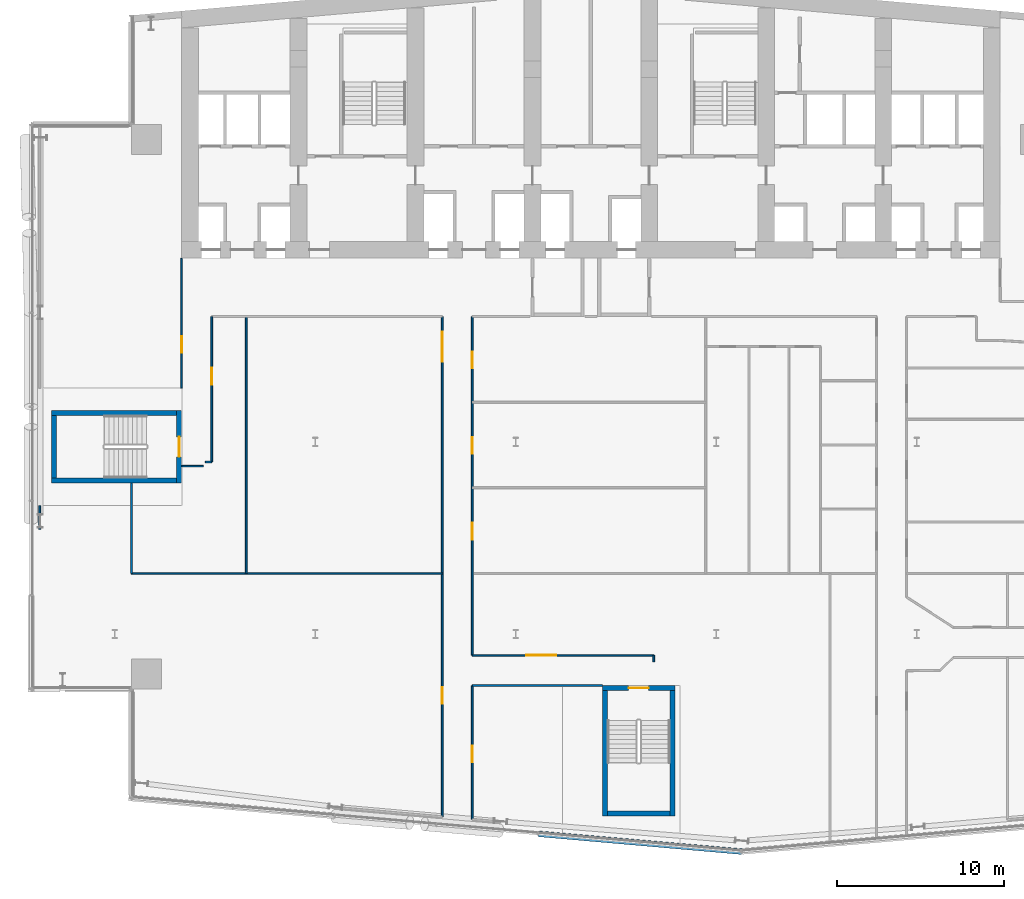
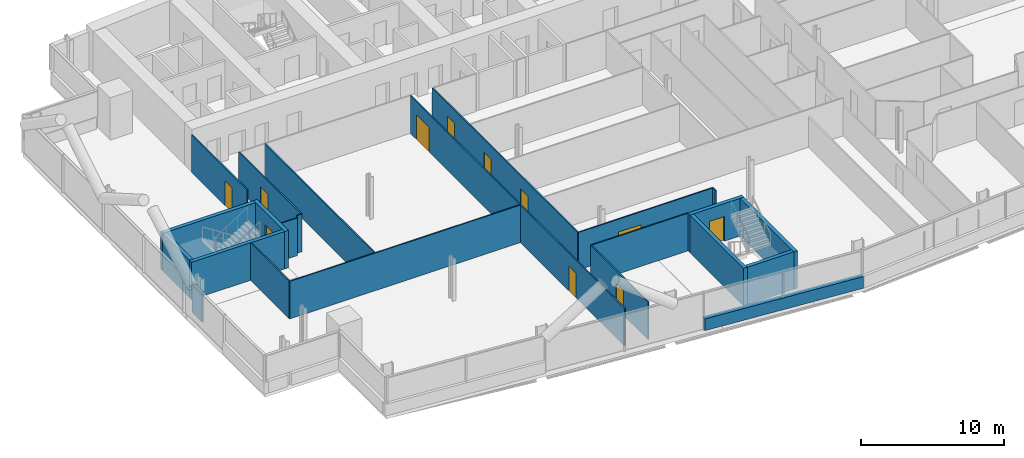
# One storey, part 14 of 26: 23 walls, 11 doors, 11 openings.
"""IFC4 building model written with IfcOpenShell, lengths in metres."""

from ifc_helpers import new_model, si_unit, direction, frame, frame_2d, origin, place, context, subcontext, project, spatial, rectangle, extrude, material, layer, layer_set, type_object, element, fill, save


model = new_model("IFC4")

# Units and contexts
model_context = context("Model", 3, precision=1e-05, world=origin(), true_north=direction((0.0, 1.0)))
body_context = subcontext(model_context, "Body", "Model", "MODEL_VIEW")
ifc_project = project(units=[si_unit("LENGTHUNIT", "METRE"), si_unit("AREAUNIT", "SQUARE_METRE"), si_unit("VOLUMEUNIT", "CUBIC_METRE"), si_unit("PLANEANGLEUNIT", "RADIAN"), si_unit("MASSUNIT", "GRAM", prefix="KILO")], contexts=[model_context])

# Site, building, storey
site_placement = place(None, origin())
site = spatial("IfcSite", under=ifc_project, at=site_placement, CompositionType="ELEMENT")
building_placement = place(site_placement, origin())
building = spatial("IfcBuilding", under=site, at=building_placement, Name="Wharfspan Tower", CompositionType="ELEMENT")
storey_placement = place(building_placement, frame((0.0, 0.0, 114.699951)))
storey = spatial("IfcBuildingStorey", under=building, at=storey_placement, Name="L26", CompositionType="ELEMENT", Elevation=114.699951)

# Wall
ifc_material_1 = material(Name="Gypsum board on steel studs", Category="steel")
ifc_layer_1 = layer(ifc_material_1, 0.100098)
ifc_layer_set_1 = layer_set([ifc_layer_1], Name="Gypsum board on steel studs")
wall_type_1 = type_object("IfcWallType", Name="Compartment wall 100 EI 60", PredefinedType="PARTITIONING", material=ifc_layer_set_1)
wall_1_placement = place(storey_placement, frame((13.0, 15.129883, 0.0), z_axis=(0.0, 0.0, 1.0), x_axis=(1.0, 0.0, 0.0)))
element("IfcWall", 1, at=wall_1_placement, inside=storey, type_object=wall_type_1, Name="Partition L26.w004", PredefinedType="PARTITIONING", context=body_context, shape_type="SweptSolid", body=[
    extrude(rectangle(XDim=18.600098, YDim=0.100098, at=frame_2d((9.300049, 0.0))), origin(), (0.0, 0.0, 1.0), 3.199951),
])

# Wall, opening, door
wall_2_placement = place(storey_placement, frame((16.0, 26.219971, 0.0), z_axis=(0.0, 0.0, 1.0), x_axis=(0.0, 1.0, 0.0)))
wall_2 = element("IfcWall", 2, at=wall_2_placement, inside=storey, type_object=wall_type_1, Name="Partition L26.w005", PredefinedType="PARTITIONING", context=body_context, shape_type="SweptSolid", body=[
    extrude(rectangle(XDim=7.76001, YDim=0.100098, at=frame_2d((3.879883, 0.0))), origin(), (0.0, 0.0, 1.0), 3.199951),
])
opening_1_placement = place(wall_2_placement, frame((2.100098, 0.0, 0.0)))
opening_1 = element("IfcOpeningElement", 3, at=opening_1_placement, cuts=wall_2, Name="Opening B3-23", PredefinedType="OPENING", context=body_context, shape_type="SweptSolid", body=[
    extrude(rectangle(XDim=1.0, YDim=2.100098, at=frame_2d((0.5, 1.050049))), frame((0.0, 0.060059, 0.0), z_axis=(0.0, -1.0, 0.0), x_axis=(1.0, 0.0, 0.0)), (0.0, 0.0, 1.0), 0.120117),
])
ifc_material_2 = material(Name="Fire-rated timber door leaf in steel frame", Category="steel")
door_type_1 = type_object("IfcDoorType", Name="Door 1000 FD30S Left", OperationType="SINGLE_SWING_LEFT", PredefinedType="DOOR", material=ifc_material_2)
door_1_placement = place(opening_1_placement, origin())
door_1 = element("IfcDoor", 4, at=door_1_placement, inside=storey, type_object=door_type_1, Name="Door B3-23", OperationType="SINGLE_SWING_LEFT", OverallHeight=2.100098, OverallWidth=1.0, PredefinedType="DOOR", context=body_context, shape_type="SweptSolid", body=[
    extrude(rectangle(XDim=1.0, YDim=2.100098, at=frame_2d((0.5, 1.050049))), frame((0.0, 0.024902, 0.0), z_axis=(0.0, -1.0, 0.0), x_axis=(1.0, 0.0, 0.0)), (0.0, 0.0, 1.0), 0.050049),
])
fill(opening_1, door_1)

# Walls
wall_3_placement = place(storey_placement, frame((16.02002, 21.550049, 0.0), z_axis=(0.0, 0.0, 1.0), x_axis=(1.0, 0.0, 0.0)))
element("IfcWall", 5, at=wall_3_placement, inside=storey, type_object=wall_type_1, Name="Partition L26.w006", PredefinedType="PARTITIONING", context=body_context, shape_type="SweptSolid", body=[
    extrude(rectangle(XDim=1.280029, YDim=0.100098, at=frame_2d((0.640137, 0.0))), origin(), (0.0, 0.0, 1.0), 3.199951),
])
wall_4_placement = place(storey_placement, frame((17.419922, 21.800049, 0.0), z_axis=(0.0, 0.0, 1.0), x_axis=(1.0, 0.0, 0.0)))
element("IfcWall", 6, at=wall_4_placement, inside=storey, type_object=wall_type_1, Name="Partition L26.w007", PredefinedType="PARTITIONING", context=body_context, shape_type="SweptSolid", body=[
    extrude(rectangle(XDim=0.380127, YDim=0.100098, at=frame_2d((0.189941, 0.0))), origin(), (0.0, 0.0, 1.0), 3.199951),
])

# Wall, opening, door
wall_5_placement = place(storey_placement, frame((17.800049, 21.800049, 0.0), z_axis=(0.0, 0.0, 1.0), x_axis=(0.0, 1.0, 0.0)))
wall_5 = element("IfcWall", 7, at=wall_5_placement, inside=storey, type_object=wall_type_1, Name="Partition L26.w008", PredefinedType="PARTITIONING", context=body_context, shape_type="SweptSolid", body=[
    extrude(rectangle(XDim=8.699951, YDim=0.100098, at=frame_2d((4.350098, 0.0))), origin(), (0.0, 0.0, 1.0), 3.199951),
])
opening_2_placement = place(wall_5_placement, frame((4.631348, 0.0, 0.0)))
opening_2 = element("IfcOpeningElement", 8, at=opening_2_placement, cuts=wall_5, Name="Opening B3-17", PredefinedType="OPENING", context=body_context, shape_type="SweptSolid", body=[
    extrude(rectangle(XDim=1.0, YDim=2.100098, at=frame_2d((0.5, 1.050049))), frame((0.0, 0.060059, 0.0), z_axis=(0.0, -1.0, 0.0), x_axis=(1.0, 0.0, 0.0)), (0.0, 0.0, 1.0), 0.120117),
])
door_type_2 = type_object("IfcDoorType", Name="Door 1000 FD30S Right", OperationType="SINGLE_SWING_RIGHT", PredefinedType="DOOR", material=ifc_material_2)
door_2_placement = place(opening_2_placement, origin())
door_2 = element("IfcDoor", 9, at=door_2_placement, inside=storey, type_object=door_type_2, Name="Door B3-17", OperationType="SINGLE_SWING_RIGHT", OverallHeight=2.100098, OverallWidth=1.0, PredefinedType="DOOR", context=body_context, shape_type="SweptSolid", body=[
    extrude(rectangle(XDim=1.0, YDim=2.100098, at=frame_2d((0.5, 1.050049))), frame((0.0, 0.024902, 0.0), z_axis=(0.0, -1.0, 0.0), x_axis=(1.0, 0.0, 0.0)), (0.0, 0.0, 1.0), 0.050049),
])
fill(opening_2, door_2)

# Wall
wall_6_placement = place(storey_placement, frame((19.875, 15.129883, 0.0), z_axis=(0.0, 0.0, 1.0), x_axis=(0.0, 1.0, 0.0)))
element("IfcWall", 10, at=wall_6_placement, inside=storey, type_object=wall_type_1, Name="Partition L26.w010", PredefinedType="PARTITIONING", context=body_context, shape_type="SweptSolid", body=[
    extrude(rectangle(XDim=15.370117, YDim=0.100098, at=frame_2d((7.685059, 0.0))), origin(), (0.0, 0.0, 1.0), 3.199951),
])

# Wall, openings, doors
wall_7_placement = place(storey_placement, frame((31.600098, 0.560059, 0.0), z_axis=(0.0, 0.0, 1.0), x_axis=(0.0, 1.0, 0.0)))
wall_7 = element("IfcWall", 11, at=wall_7_placement, inside=storey, type_object=wall_type_1, Name="Partition L26.w011", PredefinedType="PARTITIONING", context=body_context, shape_type="SweptSolid", body=[
    extrude(rectangle(XDim=29.939941, YDim=0.100098, at=frame_2d((14.969971, 0.0))), origin(), (0.0, 0.0, 1.0), 3.199951),
])
opening_3_placement = place(wall_7_placement, frame((6.75, 0.0, 0.0)))
opening_3 = element("IfcOpeningElement", 12, at=opening_3_placement, cuts=wall_7, Name="Opening B3-04", PredefinedType="OPENING", context=body_context, shape_type="SweptSolid", body=[
    extrude(rectangle(XDim=1.0, YDim=2.100098, at=frame_2d((0.5, 1.050049))), frame((0.0, 0.060059, 0.0), z_axis=(0.0, -1.0, 0.0), x_axis=(1.0, 0.0, 0.0)), (0.0, 0.0, 1.0), 0.120117),
])
opening_4_placement = place(wall_7_placement, frame((27.245117, 0.0, 0.0)))
opening_4 = element("IfcOpeningElement", 13, at=opening_4_placement, cuts=wall_7, Name="Opening B3-22", PredefinedType="OPENING", context=body_context, shape_type="SweptSolid", body=[
    extrude(rectangle(XDim=1.800049, YDim=2.100098, at=frame_2d((0.899902, 1.050049))), frame((0.0, 0.060059, 0.0), z_axis=(0.0, -1.0, 0.0), x_axis=(1.0, 0.0, 0.0)), (0.0, 0.0, 1.0), 0.120117),
])
door_3_placement = place(opening_3_placement, origin())
door_3 = element("IfcDoor", 14, at=door_3_placement, inside=storey, type_object=door_type_1, Name="Door B3-04", OperationType="SINGLE_SWING_LEFT", OverallHeight=2.100098, OverallWidth=1.0, PredefinedType="DOOR", context=body_context, shape_type="SweptSolid", body=[
    extrude(rectangle(XDim=1.0, YDim=2.100098, at=frame_2d((0.5, 1.050049))), frame((0.0, 0.024902, 0.0), z_axis=(0.0, -1.0, 0.0), x_axis=(1.0, 0.0, 0.0)), (0.0, 0.0, 1.0), 0.050049),
])
fill(opening_3, door_3)
door_type_3 = type_object("IfcDoorType", Name="Door 1800 FD30S Double", OperationType="DOUBLE_DOOR_SINGLE_SWING", PredefinedType="DOOR", material=ifc_material_2)
door_4_placement = place(opening_4_placement, origin())
door_4 = element("IfcDoor", 15, at=door_4_placement, inside=storey, type_object=door_type_3, Name="Door B3-22", OperationType="DOUBLE_DOOR_SINGLE_SWING", OverallHeight=2.100098, OverallWidth=1.800049, PredefinedType="DOOR", context=body_context, shape_type="SweptSolid", body=[
    extrude(rectangle(XDim=1.800049, YDim=2.100098, at=frame_2d((0.899902, 1.050049))), frame((0.0, 0.024902, 0.0), z_axis=(0.0, -1.0, 0.0), x_axis=(1.0, 0.0, 0.0)), (0.0, 0.0, 1.0), 0.050049),
])
fill(opening_4, door_4)

# Wall, opening, door
wall_8_placement = place(storey_placement, frame((33.399902, 0.399902, 0.0), z_axis=(0.0, 0.0, 1.0), x_axis=(0.0, 1.0, 0.0)))
wall_8 = element("IfcWall", 16, at=wall_8_placement, inside=storey, type_object=wall_type_1, Name="Partition L26.w013", PredefinedType="PARTITIONING", context=body_context, shape_type="SweptSolid", body=[
    extrude(rectangle(XDim=8.015137, YDim=0.100098, at=frame_2d((4.007568, 0.0))), origin(), (0.0, 0.0, 1.0), 3.199951),
])
opening_5_placement = place(wall_8_placement, frame((3.419922, 0.0, 0.0)))
opening_5 = element("IfcOpeningElement", 17, at=opening_5_placement, cuts=wall_8, Name="Opening B3-01", PredefinedType="OPENING", context=body_context, shape_type="SweptSolid", body=[
    extrude(rectangle(XDim=1.0, YDim=2.100098, at=frame_2d((0.5, 1.050049))), frame((0.0, 0.060059, 0.0), z_axis=(0.0, -1.0, 0.0), x_axis=(1.0, 0.0, 0.0)), (0.0, 0.0, 1.0), 0.120117),
])
door_5_placement = place(opening_5_placement, origin())
door_5 = element("IfcDoor", 18, at=door_5_placement, inside=storey, type_object=door_type_1, Name="Door B3-01", OperationType="SINGLE_SWING_LEFT", OverallHeight=2.100098, OverallWidth=1.0, PredefinedType="DOOR", context=body_context, shape_type="SweptSolid", body=[
    extrude(rectangle(XDim=1.0, YDim=2.100098, at=frame_2d((0.5, 1.050049))), frame((0.0, 0.024902, 0.0), z_axis=(0.0, -1.0, 0.0), x_axis=(1.0, 0.0, 0.0)), (0.0, 0.0, 1.0), 0.050049),
])
fill(opening_5, door_5)

# Wall
wall_9_placement = place(storey_placement, frame((33.399902, 8.415039, 0.0), z_axis=(0.0, 0.0, 1.0), x_axis=(1.0, 0.0, 0.0)))
element("IfcWall", 19, at=wall_9_placement, inside=storey, type_object=wall_type_1, Name="Partition L26.w014", PredefinedType="PARTITIONING", context=body_context, shape_type="SweptSolid", body=[
    extrude(rectangle(XDim=7.7854, YDim=0.100098, at=frame_2d((3.892578, 0.0))), origin(), (0.0, 0.0, 1.0), 3.199951),
])

# Wall, openings, doors
wall_10_placement = place(storey_placement, frame((33.399902, 10.219971, 0.0), z_axis=(0.0, 0.0, 1.0), x_axis=(0.0, 1.0, 0.0)))
wall_10 = element("IfcWall", 20, at=wall_10_placement, inside=storey, type_object=wall_type_1, Name="Partition L26.w015", PredefinedType="PARTITIONING", context=body_context, shape_type="SweptSolid", body=[
    extrude(rectangle(XDim=20.280029, YDim=0.100098, at=frame_2d((10.140137, 0.0))), origin(), (0.0, 0.0, 1.0), 3.199951),
])
opening_6_placement = place(wall_10_placement, frame((6.929932, 0.0, 0.0)))
opening_6 = element("IfcOpeningElement", 21, at=opening_6_placement, cuts=wall_10, Name="Opening B3-10", PredefinedType="OPENING", context=body_context, shape_type="SweptSolid", body=[
    extrude(rectangle(XDim=1.0, YDim=2.100098, at=frame_2d((0.5, 1.050049))), frame((0.0, 0.060059, 0.0), z_axis=(0.0, -1.0, 0.0), x_axis=(1.0, 0.0, 0.0)), (0.0, 0.0, 1.0), 0.120117),
])
opening_7_placement = place(wall_10_placement, frame((12.054932, 0.0, 0.0)))
opening_7 = element("IfcOpeningElement", 22, at=opening_7_placement, cuts=wall_10, Name="Opening B3-13", PredefinedType="OPENING", context=body_context, shape_type="SweptSolid", body=[
    extrude(rectangle(XDim=1.0, YDim=2.100098, at=frame_2d((0.5, 1.050049))), frame((0.0, 0.060059, 0.0), z_axis=(0.0, -1.0, 0.0), x_axis=(1.0, 0.0, 0.0)), (0.0, 0.0, 1.0), 0.120117),
])
opening_8_placement = place(wall_10_placement, frame((17.179932, 0.0, 0.0)))
opening_8 = element("IfcOpeningElement", 23, at=opening_8_placement, cuts=wall_10, Name="Opening B3-18", PredefinedType="OPENING", context=body_context, shape_type="SweptSolid", body=[
    extrude(rectangle(XDim=1.0, YDim=2.100098, at=frame_2d((0.5, 1.050049))), frame((0.0, 0.060059, 0.0), z_axis=(0.0, -1.0, 0.0), x_axis=(1.0, 0.0, 0.0)), (0.0, 0.0, 1.0), 0.120117),
])
door_6_placement = place(opening_6_placement, origin())
door_6 = element("IfcDoor", 24, at=door_6_placement, inside=storey, type_object=door_type_1, Name="Door B3-10", OperationType="SINGLE_SWING_LEFT", OverallHeight=2.100098, OverallWidth=1.0, PredefinedType="DOOR", context=body_context, shape_type="SweptSolid", body=[
    extrude(rectangle(XDim=1.0, YDim=2.100098, at=frame_2d((0.5, 1.050049))), frame((0.0, 0.024902, 0.0), z_axis=(0.0, -1.0, 0.0), x_axis=(1.0, 0.0, 0.0)), (0.0, 0.0, 1.0), 0.050049),
])
fill(opening_6, door_6)
door_7_placement = place(opening_7_placement, origin())
door_7 = element("IfcDoor", 25, at=door_7_placement, inside=storey, type_object=door_type_2, Name="Door B3-13", OperationType="SINGLE_SWING_RIGHT", OverallHeight=2.100098, OverallWidth=1.0, PredefinedType="DOOR", context=body_context, shape_type="SweptSolid", body=[
    extrude(rectangle(XDim=1.0, YDim=2.100098, at=frame_2d((0.5, 1.050049))), frame((0.0, 0.024902, 0.0), z_axis=(0.0, -1.0, 0.0), x_axis=(1.0, 0.0, 0.0)), (0.0, 0.0, 1.0), 0.050049),
])
fill(opening_7, door_7)
door_8_placement = place(opening_8_placement, origin())
door_8 = element("IfcDoor", 26, at=door_8_placement, inside=storey, type_object=door_type_2, Name="Door B3-18", OperationType="SINGLE_SWING_RIGHT", OverallHeight=2.100098, OverallWidth=1.0, PredefinedType="DOOR", context=body_context, shape_type="SweptSolid", body=[
    extrude(rectangle(XDim=1.0, YDim=2.100098, at=frame_2d((0.5, 1.050049))), frame((0.0, 0.024902, 0.0), z_axis=(0.0, -1.0, 0.0), x_axis=(1.0, 0.0, 0.0)), (0.0, 0.0, 1.0), 0.050049),
])
fill(opening_8, door_8)

# Wall, opening, door
wall_11_placement = place(storey_placement, frame((33.399902, 10.219971, 0.0), z_axis=(0.0, 0.0, 1.0), x_axis=(1.0, 0.0, 0.0)))
wall_11 = element("IfcWall", 27, at=wall_11_placement, inside=storey, type_object=wall_type_1, Name="Partition L26.w016", PredefinedType="PARTITIONING", context=body_context, shape_type="SweptSolid", body=[
    extrude(rectangle(XDim=10.860107, YDim=0.100098, at=frame_2d((5.430176, 0.0))), origin(), (0.0, 0.0, 1.0), 3.199951),
])
opening_9_placement = place(wall_11_placement, frame((3.233154, 0.0, 0.0)))
opening_9 = element("IfcOpeningElement", 28, at=opening_9_placement, cuts=wall_11, Name="Opening B3-06", PredefinedType="OPENING", context=body_context, shape_type="SweptSolid", body=[
    extrude(rectangle(XDim=1.800049, YDim=2.100098, at=frame_2d((0.899902, 1.050049))), frame((0.0, 0.060059, 0.0), z_axis=(0.0, -1.0, 0.0), x_axis=(1.0, 0.0, 0.0)), (0.0, 0.0, 1.0), 0.120117),
])
door_9_placement = place(opening_9_placement, origin())
door_9 = element("IfcDoor", 29, at=door_9_placement, inside=storey, type_object=door_type_3, Name="Door B3-06", OperationType="DOUBLE_DOOR_SINGLE_SWING", OverallHeight=2.100098, OverallWidth=1.800049, PredefinedType="DOOR", context=body_context, shape_type="SweptSolid", body=[
    extrude(rectangle(XDim=1.800049, YDim=2.100098, at=frame_2d((0.899902, 1.050049))), frame((0.0, 0.024902, 0.0), z_axis=(0.0, -1.0, 0.0), x_axis=(1.0, 0.0, 0.0)), (0.0, 0.0, 1.0), 0.050049),
])
fill(opening_9, door_9)

# Walls
wall_12_placement = place(storey_placement, frame((44.26001, 9.834961, 0.0), z_axis=(0.0, 0.0, 1.0), x_axis=(0.0, 1.0, 0.0)))
element("IfcWall", 30, at=wall_12_placement, inside=storey, type_object=wall_type_1, Name="Partition L26.w023", PredefinedType="PARTITIONING", context=body_context, shape_type="SweptSolid", body=[
    extrude(rectangle(XDim=0.380127, YDim=0.100098, at=frame_2d((0.189941, 0.0))), origin(), (0.0, 0.0, 1.0), 3.199951),
])
ifc_layer_2 = layer(ifc_material_1, 0.100098)
ifc_layer_set_2 = layer_set([ifc_layer_2], Name="Gypsum board on steel studs")
wall_type_2 = type_object("IfcWallType", Name="Partition 100", PredefinedType="PARTITIONING", material=ifc_layer_set_2)
wall_13_placement = place(storey_placement, frame((7.51001, 17.764893, 0.0), z_axis=(0.0, 0.0, 1.0), x_axis=(0.0, 1.0, 0.0)))
element("IfcWall", 31, at=wall_13_placement, inside=storey, type_object=wall_type_2, Name="Partition L26.w001", PredefinedType="PARTITIONING", context=body_context, shape_type="SweptSolid", body=[
    extrude(rectangle(XDim=1.415039, YDim=0.100098, at=frame_2d((0.70752, 0.0))), origin(), (0.0, 0.0, 1.0), 2.580078),
])
wall_14_placement = place(storey_placement, frame((13.0, 15.129883, 0.0), z_axis=(0.0, 0.0, 1.0), x_axis=(0.0, 1.0, 0.0)))
element("IfcWall", 32, at=wall_14_placement, inside=storey, type_object=wall_type_2, Name="Partition L26.w003", PredefinedType="PARTITIONING", context=body_context, shape_type="SweptSolid", body=[
    extrude(rectangle(XDim=5.39502, YDim=0.100098, at=frame_2d((2.69751, 0.0))), origin(), (0.0, 0.0, 1.0), 3.199951),
])
ifc_material_3 = material(Name="Concrete C40/50", Category="concrete")
ifc_layer_3 = layer(ifc_material_3, 0.350098)
ifc_layer_set_3 = layer_set([ifc_layer_3], Name="Concrete C40/50")
wall_type_3 = type_object("IfcWallType", Name="SPANDREL EXPOSED CONCRETE 350", PredefinedType="SOLIDWALL", material=ifc_layer_set_3)
wall_15_placement = place(storey_placement, frame((37.362793, -0.461426, 0.0), z_axis=(0.0, 0.0, 1.0), x_axis=(0.996194, -0.087159, 0.0)))
element("IfcWall", 33, at=wall_15_placement, inside=storey, type_object=wall_type_3, Name="Spandrel upstand L26 S1 2", PredefinedType="SOLIDWALL", context=body_context, shape_type="SweptSolid", body=[
    extrude(rectangle(XDim=12.19873, YDim=0.350098, at=frame_2d((6.099365, 0.0))), origin(), (0.0, 0.0, 1.0), 1.0),
])

# Wall, opening, door
ifc_layer_4 = layer(ifc_material_3, 0.300049)
ifc_layer_set_4 = layer_set([ifc_layer_4], Name="Concrete C40/50")
wall_type_4 = type_object("IfcWallType", Name="Stair core wall 300", PredefinedType="SHEAR", material=ifc_layer_set_4)
wall_16_placement = place(storey_placement, frame((15.850098, 20.524902, 0.0), z_axis=(0.0, 0.0, 1.0), x_axis=(0.0, 1.0, 0.0)))
wall_16 = element("IfcWall", 34, at=wall_16_placement, inside=storey, type_object=wall_type_4, Name="ST3 stair enclosure wall L26", PredefinedType="SHEAR", context=body_context, shape_type="SweptSolid", body=[
    extrude(rectangle(XDim=4.350098, YDim=0.300049, at=frame_2d((2.175049, 0.0))), origin(), (0.0, 0.0, 1.0), 3.199951),
])
opening_10_placement = place(wall_16_placement, frame((1.574951, 0.0, 0.0)))
opening_10 = element("IfcOpeningElement", 35, at=opening_10_placement, cuts=wall_16, Name="Opening SD3.L26", PredefinedType="OPENING", context=body_context, shape_type="SweptSolid", body=[
    extrude(rectangle(XDim=1.199951, YDim=2.100098, at=frame_2d((0.600098, 1.050049))), frame((0.0, 0.159912, 0.0), z_axis=(0.0, -1.0, 0.0), x_axis=(1.0, 0.0, 0.0)), (0.0, 0.0, 1.0), 0.320068),
])
ifc_material_4 = material(Name="Steel door leaf", Category="steel")
door_type_4 = type_object("IfcDoorType", Name="Stair door 1200x2100", OperationType="SINGLE_SWING_LEFT", PredefinedType="DOOR", material=ifc_material_4)
door_10_placement = place(opening_10_placement, origin())
door_10 = element("IfcDoor", 36, at=door_10_placement, inside=storey, type_object=door_type_4, Name="sd:L26:ST3z2", OperationType="SINGLE_SWING_RIGHT", OverallHeight=2.100098, OverallWidth=1.199951, PredefinedType="DOOR", context=body_context, shape_type="SweptSolid", body=[
    extrude(rectangle(XDim=1.199951, YDim=2.100098, at=frame_2d((0.600098, 1.050049))), frame((0.0, 0.024902, 0.0), z_axis=(0.0, -1.0, 0.0), x_axis=(1.0, 0.0, 0.0)), (0.0, 0.0, 1.0), 0.050049),
])
fill(opening_10, door_10)

wall_17_placement = place(storey_placement, frame((41.185303, 8.26709, 0.0), z_axis=(0.0, 0.0, 1.0), x_axis=(1.0, 0.0, 0.0)))
wall_17 = element("IfcWall", 37, at=wall_17_placement, inside=storey, type_object=wall_type_4, Name="ST4 stair enclosure wall L26", PredefinedType="SHEAR", context=body_context, shape_type="SweptSolid", body=[
    extrude(rectangle(XDim=4.350098, YDim=0.300049, at=frame_2d((2.175049, 0.0))), origin(), (0.0, 0.0, 1.0), 3.199951),
])
opening_11_placement = place(wall_17_placement, frame((1.574951, 0.0, 0.0)))
opening_11 = element("IfcOpeningElement", 38, at=opening_11_placement, cuts=wall_17, Name="Opening SD4.L26", PredefinedType="OPENING", context=body_context, shape_type="SweptSolid", body=[
    extrude(rectangle(XDim=1.199951, YDim=2.100098, at=frame_2d((0.600098, 1.050049))), frame((0.0, 0.159912, 0.0), z_axis=(0.0, -1.0, 0.0), x_axis=(1.0, 0.0, 0.0)), (0.0, 0.0, 1.0), 0.320068),
])
door_11_placement = place(opening_11_placement, origin())
door_11 = element("IfcDoor", 39, at=door_11_placement, inside=storey, type_object=door_type_4, Name="sd:L26:ST4z2", OperationType="SINGLE_SWING_RIGHT", OverallHeight=2.100098, OverallWidth=1.199951, PredefinedType="DOOR", context=body_context, shape_type="SweptSolid", body=[
    extrude(rectangle(XDim=1.199951, YDim=2.100098, at=frame_2d((0.600098, 1.050049))), frame((0.0, 0.024902, 0.0), z_axis=(0.0, -1.0, 0.0), x_axis=(1.0, 0.0, 0.0)), (0.0, 0.0, 1.0), 0.050049),
])
fill(opening_11, door_11)

# Walls
for number, where, z_axis, x_axis, name in (
    (40, (8.199951, 20.675049, 0.0), (0.0, 0.0, 1.0), (1.0, 0.0, 0.0), "ST3 stair enclosure wall L26"),
    (41, (8.199951, 24.725098, 0.0), (0.0, 0.0, 1.0), (1.0, 0.0, 0.0), "ST3 stair enclosure wall L26"),
):
    element("IfcWall", number, at=place(storey_placement, frame(where, z_axis=z_axis, x_axis=x_axis)), inside=storey, type_object=wall_type_4, Name=name, PredefinedType="SHEAR", context=body_context, shape_type="SweptSolid", body=[
        extrude(rectangle(XDim=7.5, YDim=0.300049, at=frame_2d((3.75, 0.0))), origin(), (0.0, 0.0, 1.0), 3.199951),
    ])
wall_18_placement = place(storey_placement, frame((8.350098, 20.824951, 0.0), z_axis=(0.0, 0.0, 1.0), x_axis=(0.0, 1.0, 0.0)))
element("IfcWall", 42, at=wall_18_placement, inside=storey, type_object=wall_type_4, Name="ST3 stair enclosure wall L26", PredefinedType="SHEAR", context=body_context, shape_type="SweptSolid", body=[
    extrude(rectangle(XDim=3.75, YDim=0.300049, at=frame_2d((1.875, 0.0))), origin(), (0.0, 0.0, 1.0), 3.199951),
])
for number, where, z_axis, x_axis, name in (
    (43, (41.335205, 0.616943, 0.0), (0.0, 0.0, 1.0), (0.0, 1.0, 0.0), "ST4 stair enclosure wall L26"),
    (44, (45.385254, 0.616943, 0.0), (0.0, 0.0, 1.0), (0.0, 1.0, 0.0), "ST4 stair enclosure wall L26"),
):
    element("IfcWall", number, at=place(storey_placement, frame(where, z_axis=z_axis, x_axis=x_axis)), inside=storey, type_object=wall_type_4, Name=name, PredefinedType="SHEAR", context=body_context, shape_type="SweptSolid", body=[
        extrude(rectangle(XDim=7.5, YDim=0.300049, at=frame_2d((3.75, 0.0))), origin(), (0.0, 0.0, 1.0), 3.199951),
    ])
wall_19_placement = place(storey_placement, frame((41.485352, 0.76709, 0.0), z_axis=(0.0, 0.0, 1.0), x_axis=(1.0, 0.0, 0.0)))
element("IfcWall", 45, at=wall_19_placement, inside=storey, type_object=wall_type_4, Name="ST4 stair enclosure wall L26", PredefinedType="SHEAR", context=body_context, shape_type="SweptSolid", body=[
    extrude(rectangle(XDim=3.75, YDim=0.300049, at=frame_2d((1.875, 0.0))), origin(), (0.0, 0.0, 1.0), 3.199951),
])

save(model, "model.ifc")
